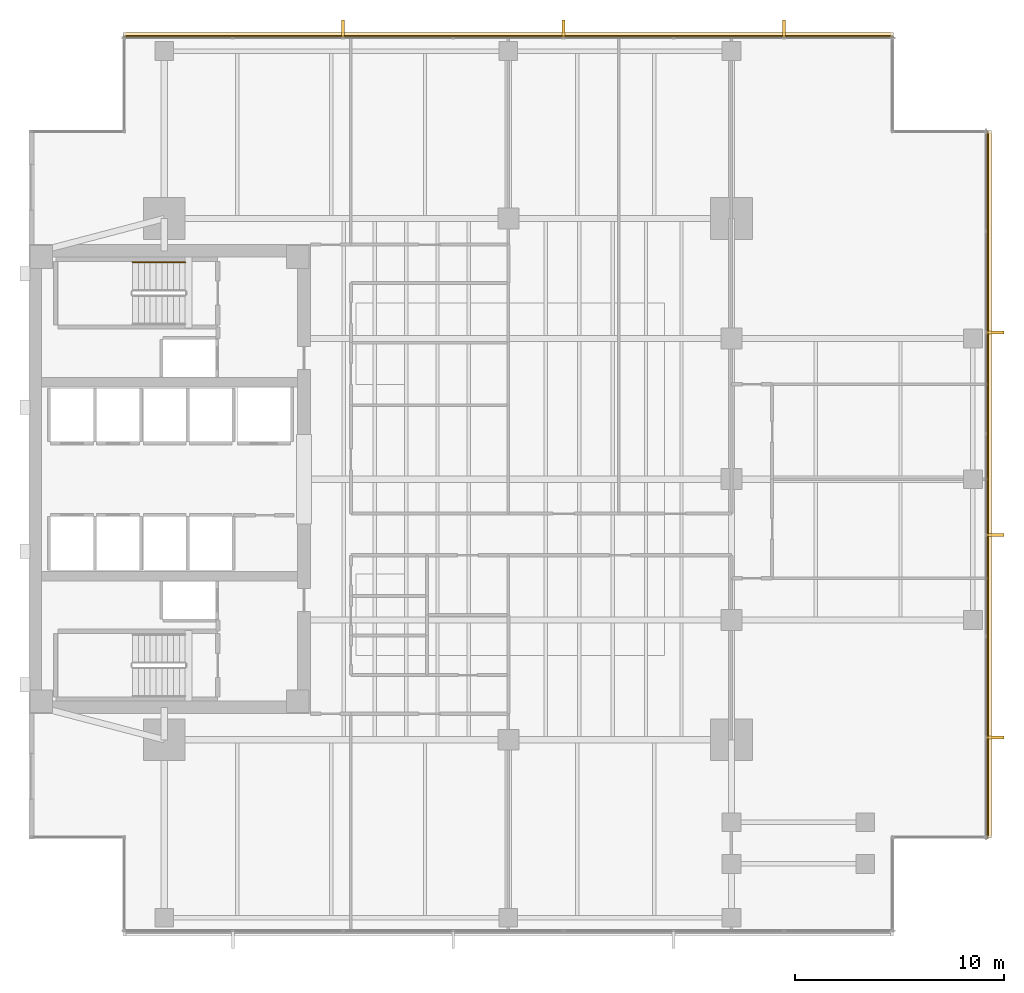
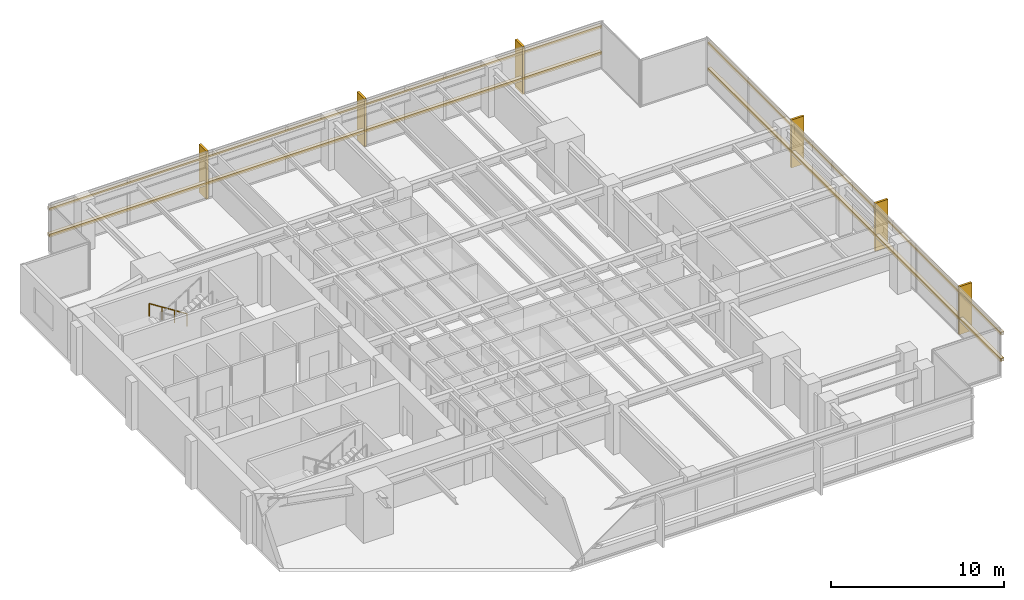
# One storey, part 15 of 15: 10 coverings, 4 shading devices, 1 railing.
"""IFC4 building model written with IfcOpenShell, lengths in metres."""

from ifc_helpers import new_model, si_unit, direction, frame, origin, origin_2d, place, context, subcontext, project, spatial, polyline, rectangle, circle, outline, extrude, material, layer, layer_set, material_profile, profile_set, type_object, element, save


model = new_model("IFC4")

# Units and contexts
model_context = context("Model", 3, precision=1e-05, world=origin(), true_north=direction((0.0, 1.0)))
body_context = subcontext(model_context, "Body", "Model", "MODEL_VIEW")
ifc_project = project(units=[si_unit("LENGTHUNIT", "METRE"), si_unit("AREAUNIT", "SQUARE_METRE"), si_unit("VOLUMEUNIT", "CUBIC_METRE"), si_unit("PLANEANGLEUNIT", "RADIAN"), si_unit("MASSUNIT", "GRAM", prefix="KILO")], contexts=[model_context])

# Site, building, storey
site_placement = place(None, origin())
site = spatial("IfcSite", under=ifc_project, at=site_placement, CompositionType="ELEMENT")
building_placement = place(site_placement, origin())
building = spatial("IfcBuilding", under=site, at=building_placement, Name="Kinhvarn Gate Tower", CompositionType="ELEMENT")
storey_placement = place(building_placement, frame((0.0, 0.0, 169.699951171875)))
storey = spatial("IfcBuildingStorey", under=building, at=storey_placement, Name="L45", CompositionType="ELEMENT", Elevation=169.699951171875)

# Coverings
ifc_material_1 = material(Name="Fired architectural terracotta", Category="masonry")
ifc_layer_1 = layer(ifc_material_1, 0.239990234375)
ifc_layer_set_1 = layer_set([ifc_layer_1], Name="Fired architectural terracotta")
covering_type_1 = type_object("IfcCoveringType", Name="COV-BAG-220", PredefinedType="CLADDING", material=ifc_layer_set_1)
covering_1_placement = place(storey_placement, frame((0.0, 0.0, 0.93994140625)))
element("IfcCovering", 1, at=covering_1_placement, inside=storey, type_object=covering_type_1, Name="Terracotta Horizontal Sunscreen Band TBG-220 (L45)", PredefinedType="CLADDING", context=body_context, shape_type="SweptSolid", body=[
    extrude(outline(polyline([(45.9599609375, 46.429931640625), (9.0400390625, 46.429931640625), (9.0400390625, 46.669921875), (45.9599609375, 46.669921875), (45.9599609375, 46.429931640625)])), origin(), (0.0, 0.0, 1.0), 0.22021484375),
])
covering_2_placement = place(storey_placement, frame((0.0, 0.0, 2.7900390625)))
element("IfcCovering", 2, at=covering_2_placement, inside=storey, type_object=covering_type_1, Name="Terracotta Horizontal Sunscreen Band TBG-220 (L45)", PredefinedType="CLADDING", context=body_context, shape_type="SweptSolid", body=[
    extrude(outline(polyline([(45.9599609375, 46.429931640625), (9.0400390625, 46.429931640625), (9.0400390625, 46.669921875), (45.9599609375, 46.669921875), (45.9599609375, 46.429931640625)])), origin(), (0.0, 0.0, 1.0), 0.219970703125),
])
covering_3_placement = place(storey_placement, frame((0.0, 0.0, 0.93994140625)))
element("IfcCovering", 3, at=covering_3_placement, inside=storey, type_object=covering_type_1, Name="Terracotta Horizontal Sunscreen Band TBG-220 (L45)", PredefinedType="CLADDING", context=body_context, shape_type="SweptSolid", body=[
    extrude(outline(polyline([(50.429931640625, 8.0400390625), (50.429931640625, 41.9599609375), (50.669921875, 41.9599609375), (50.669921875, 8.0400390625), (50.429931640625, 8.0400390625)])), origin(), (0.0, 0.0, 1.0), 0.22021484375),
])
covering_4_placement = place(storey_placement, frame((0.0, 0.0, 2.7900390625)))
element("IfcCovering", 4, at=covering_4_placement, inside=storey, type_object=covering_type_1, Name="Terracotta Horizontal Sunscreen Band TBG-220 (L45)", PredefinedType="CLADDING", context=body_context, shape_type="SweptSolid", body=[
    extrude(outline(polyline([(50.429931640625, 8.0400390625), (50.429931640625, 41.9599609375), (50.669921875, 41.9599609375), (50.669921875, 8.0400390625), (50.429931640625, 8.0400390625)])), origin(), (0.0, 0.0, 1.0), 0.219970703125),
])
ifc_layer_2 = layer(ifc_material_1, 0.139892578125)
ifc_layer_set_2 = layer_set([ifc_layer_2], Name="Fired architectural terracotta")
covering_type_2 = type_object("IfcCoveringType", Name="COV-FIN-850", PredefinedType="CLADDING", material=ifc_layer_set_2)
covering_5_placement = place(storey_placement, frame((0.0, 0.0, -0.02001953125)))
element("IfcCovering", 5, at=covering_5_placement, inside=storey, type_object=covering_type_2, Name="Vertical Terracotta Expressive Fin TFN-850 (L45)", PredefinedType="CLADDING", context=body_context, shape_type="SweptSolid", body=[
    extrude(outline(polyline([(40.7841796875, 46.419921875), (40.644287109375, 46.419921875), (40.644287109375, 47.27001953125), (40.7841796875, 47.27001953125), (40.7841796875, 46.419921875)])), origin(), (0.0, 0.0, 1.0), 3.39013671875),
])
covering_6_placement = place(storey_placement, frame((0.0, 0.0, -0.02001953125)))
element("IfcCovering", 6, at=covering_6_placement, inside=storey, type_object=covering_type_2, Name="Vertical Terracotta Expressive Fin TFN-850 (L45)", PredefinedType="CLADDING", context=body_context, shape_type="SweptSolid", body=[
    extrude(outline(polyline([(30.212890625, 46.419921875), (30.072998046875, 46.419921875), (30.072998046875, 47.27001953125), (30.212890625, 47.27001953125), (30.212890625, 46.419921875)])), origin(), (0.0, 0.0, 1.0), 3.39013671875),
])
covering_7_placement = place(storey_placement, frame((0.0, 0.0, -0.02001953125)))
element("IfcCovering", 7, at=covering_7_placement, inside=storey, type_object=covering_type_2, Name="Vertical Terracotta Expressive Fin TFN-850 (L45)", PredefinedType="CLADDING", context=body_context, shape_type="SweptSolid", body=[
    extrude(outline(polyline([(19.641357421875, 46.419921875), (19.50146484375, 46.419921875), (19.50146484375, 47.27001953125), (19.641357421875, 47.27001953125), (19.641357421875, 46.419921875)])), origin(), (0.0, 0.0, 1.0), 3.39013671875),
])
covering_8_placement = place(storey_placement, frame((0.0, 0.0, -0.02001953125)))
element("IfcCovering", 8, at=covering_8_placement, inside=storey, type_object=covering_type_2, Name="Vertical Terracotta Expressive Fin TFN-850 (L45)", PredefinedType="CLADDING", context=body_context, shape_type="SweptSolid", body=[
    extrude(outline(polyline([(50.419921875, 12.787109375), (50.419921875, 12.927001953125), (51.27001953125, 12.927001953125), (51.27001953125, 12.787109375), (50.419921875, 12.787109375)])), origin(), (0.0, 0.0, 1.0), 3.39013671875),
])
covering_9_placement = place(storey_placement, frame((0.0, 0.0, -0.02001953125)))
element("IfcCovering", 9, at=covering_9_placement, inside=storey, type_object=covering_type_2, Name="Vertical Terracotta Expressive Fin TFN-850 (L45)", PredefinedType="CLADDING", context=body_context, shape_type="SweptSolid", body=[
    extrude(outline(polyline([(50.419921875, 22.50146484375), (50.419921875, 22.641357421875), (51.27001953125, 22.641357421875), (51.27001953125, 22.50146484375), (50.419921875, 22.50146484375)])), origin(), (0.0, 0.0, 1.0), 3.39013671875),
])
covering_10_placement = place(storey_placement, frame((0.0, 0.0, -0.02001953125)))
element("IfcCovering", 10, at=covering_10_placement, inside=storey, type_object=covering_type_2, Name="Vertical Terracotta Expressive Fin TFN-850 (L45)", PredefinedType="CLADDING", context=body_context, shape_type="SweptSolid", body=[
    extrude(outline(polyline([(50.419921875, 32.2158203125), (50.419921875, 32.355712890625), (51.27001953125, 32.355712890625), (51.27001953125, 32.2158203125), (50.419921875, 32.2158203125)])), origin(), (0.0, 0.0, 1.0), 3.39013671875),
])

# Railing
ifc_material_2 = material(Name="Steel S355", Category="steel")
railing_type = type_object("IfcRailingType", Name="RL-ST-HND", PredefinedType="HANDRAIL", material=ifc_material_2)
railing_placement = place(storey_placement, frame((12.0, 35.64990234375, 0.177490234375)))
element("IfcRailing", 11, at=railing_placement, inside=storey, type_object=railing_type, Name="L45 ST2 stair handrail 1", PredefinedType="HANDRAIL", context=body_context, shape_type="SweptSolid", body=[
    extrude(circle(Radius=0.02392578125, at=origin_2d()), frame((0.0, 0.0, 0.8759765625), z_axis=(-0.84456994832, 0.0, 0.535445237532), x_axis=(0.0, -1.0, 0.0)), (0.0, 0.0, 1.0), 2.98388671875),
    extrude(circle(Radius=0.02099609375, at=origin_2d()), origin(), (0.0, 0.0, 1.0), 0.851806640625),
    extrude(circle(Radius=0.02099609375, at=origin_2d()), frame((-0.840087890625, 0.0, 0.532470703125)), (0.0, 0.0, 1.0), 0.851806640625),
    extrude(circle(Radius=0.02099609375, at=origin_2d()), frame((-1.679931640625, 0.0, 1.065185546875)), (0.0, 0.0, 1.0), 0.851806640625),
    extrude(circle(Radius=0.02099609375, at=origin_2d()), frame((-2.52001953125, 0.0, 1.59765625)), (0.0, 0.0, 1.0), 0.851806640625),
])

# Shading devices
ifc_material_profile = material_profile(ifc_material_1, rectangle(XDim=0.050048828125, YDim=0.1201171875, at=origin_2d()), Name="TC 50x120")
ifc_profile_set = profile_set([ifc_material_profile], Name="Fired architectural terracotta")
shading_device_type = type_object("IfcShadingDeviceType", Name="SHD-BAG-140", PredefinedType="USERDEFINED", material=ifc_profile_set)
for number, where, z_axis, x_axis, name in (
    (12, (45.9599609375, 46.5, 1.050048828125), (-1.0, 0.0, 0.0), (0.0, -1.0, 0.0), "Upper Tower Terracotta Baguette Screen Rod 50x120 mm (L45)"),
    (13, (45.9599609375, 46.5, 2.900146484375), (-1.0, 0.0, 0.0), (0.0, -1.0, 0.0), "Upper Tower Terracotta Baguette Screen Rod 50x120 mm (L45)"),
):
    element("IfcShadingDevice", number, at=place(storey_placement, frame(where, z_axis=z_axis, x_axis=x_axis)), inside=storey, type_object=shading_device_type, Name=name, ObjectType="BAGUETTE", PredefinedType="USERDEFINED", context=body_context, shape_type="SweptSolid", body=[
        extrude(rectangle(XDim=0.050048828125, YDim=0.1201171875, at=origin_2d()), origin(), (0.0, 0.0, 1.0), 36.919921875),
    ])
for number, where, z_axis, x_axis, name in (
    (14, (50.5, 8.0400390625, 1.050048828125), (0.0, 1.0, 0.0), (-1.0, 0.0, 0.0), "Upper Tower Terracotta Baguette Screen Rod 50x120 mm (L45)"),
    (15, (50.5, 8.0400390625, 2.900146484375), (0.0, 1.0, 0.0), (-1.0, 0.0, 0.0), "Upper Tower Terracotta Baguette Screen Rod 50x120 mm (L45)"),
):
    element("IfcShadingDevice", number, at=place(storey_placement, frame(where, z_axis=z_axis, x_axis=x_axis)), inside=storey, type_object=shading_device_type, Name=name, ObjectType="BAGUETTE", PredefinedType="USERDEFINED", context=body_context, shape_type="SweptSolid", body=[
        extrude(rectangle(XDim=0.050048828125, YDim=0.1201171875, at=origin_2d()), origin(), (0.0, 0.0, 1.0), 33.919921875),
    ])

save(model, "model.ifc")
